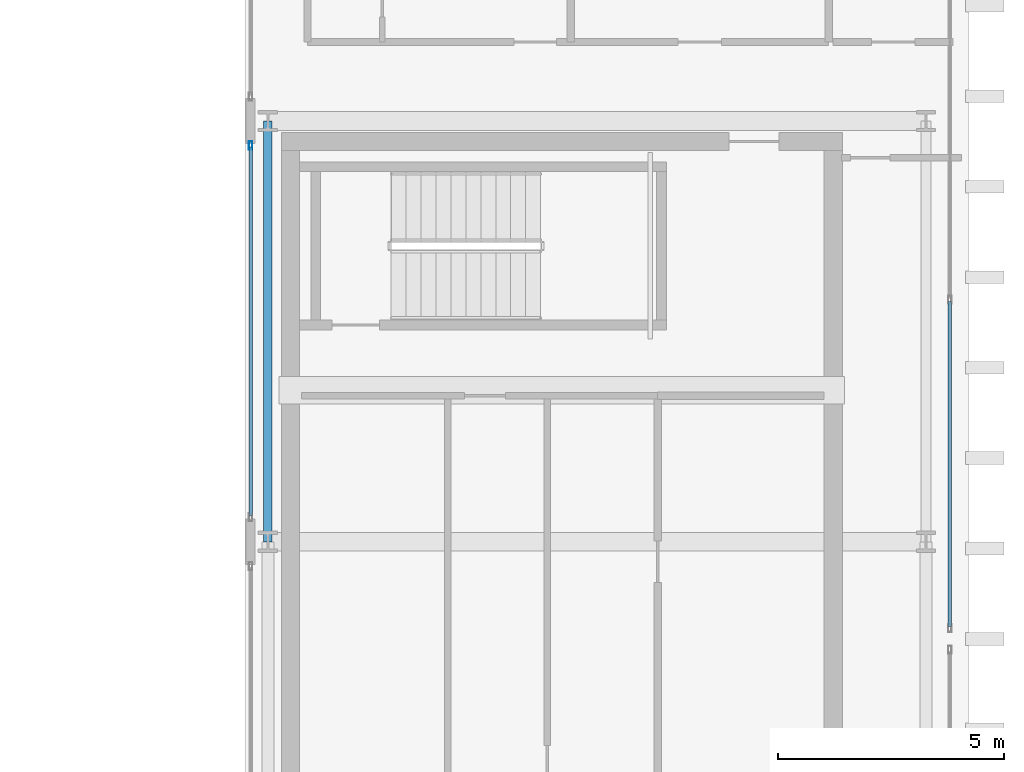
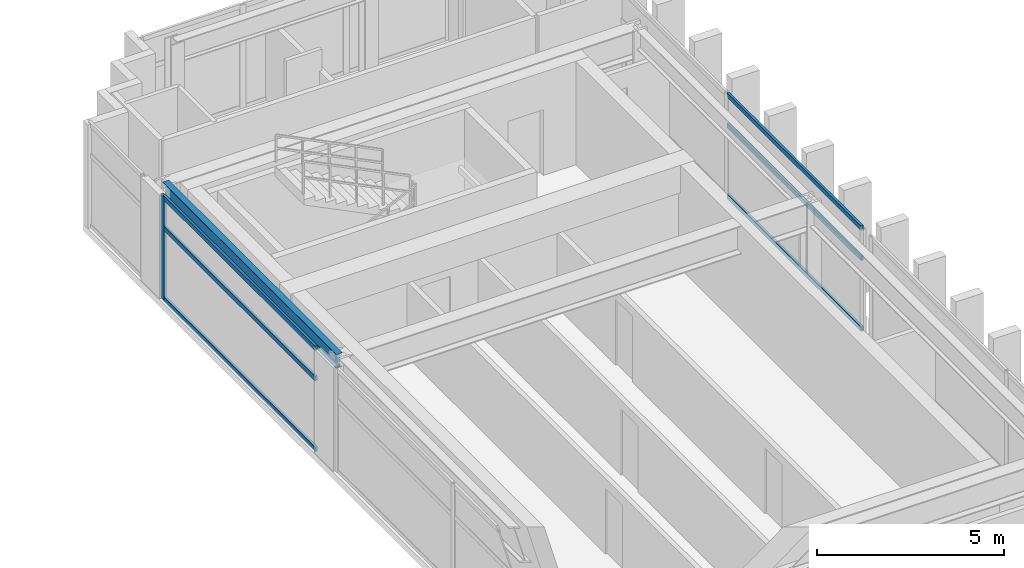
# One storey, part 12 of 25: 7 members, 1 beam, 2 elements without a shape of their own.
"""IFC4 building model written with IfcOpenShell, lengths in metres."""

from ifc_helpers import new_model, si_unit, direction, frame, origin, origin_2d, place, context, subcontext, project, spatial, hollow_rectangle, i_section, extrude, source, transform, mapped, material, layer, layer_set, material_profile, profile_set, type_object, element, aggregate, save


model = new_model("IFC4")

# Units and contexts
model_context = context("Model", 3, precision=1e-05, world=origin(), true_north=direction((0.0, 1.0)))
body_context = subcontext(model_context, "Body", "Model", "MODEL_VIEW")
ifc_project = project(units=[si_unit("LENGTHUNIT", "METRE"), si_unit("AREAUNIT", "SQUARE_METRE"), si_unit("VOLUMEUNIT", "CUBIC_METRE"), si_unit("PLANEANGLEUNIT", "RADIAN"), si_unit("MASSUNIT", "GRAM", prefix="KILO")], contexts=[model_context])

# Site, building, storey
site_placement = place(None, origin())
site = spatial("IfcSite", under=ifc_project, at=site_placement, CompositionType="ELEMENT")
building_placement = place(site_placement, origin())
building = spatial("IfcBuilding", under=site, at=building_placement, Name="Ocotamira Hotel", CompositionType="ELEMENT")
storey_placement = place(building_placement, frame((0.0, 0.0, 254.39990234375)))
storey = spatial("IfcBuildingStorey", under=building, at=storey_placement, Name="L64", CompositionType="ELEMENT", Elevation=254.39990234375)

# Beam
ifc_material_1 = material(Name="Steel ASTM A992 Grade 50", Category="steel")
ifc_material_profile_1 = material_profile(ifc_material_1, i_section(OverallWidth=0.18994140625, OverallDepth=0.45703125, WebThickness=0.009033203125, FlangeThickness=0.014404296875, FilletRadius=0.010009765625, at=origin_2d()), Name="W18X50")
ifc_profile_set_1 = profile_set([ifc_material_profile_1], Name="Steel ASTM A992 Grade 50")
beam_type = type_object("IfcBeamType", Name="BM-SEC-W18X50", PredefinedType="JOIST", material=ifc_profile_set_1)
shared_shape_1 = source(origin(), body_context, "Body", "SweptSolid", [
    extrude(i_section(OverallWidth=0.18994140625, OverallDepth=0.45703125, WebThickness=0.009033203125, FlangeThickness=0.014404296875, FilletRadius=0.010009765625, at=origin_2d()), origin(), (0.0, 0.0, 1.0), 9.300048828125),
])
beam_placement = place(storey_placement, frame((40.5, 28.14990234375, 3.151611328125), z_axis=(0.0, 1.0, 0.0), x_axis=(-1.0, 0.0, 0.0)))
element("IfcBeam", 1, at=beam_placement, inside=storey, type_object=beam_type, Name="L64 Beam X40.5 Y28.15-37.45", PredefinedType="JOIST", context=body_context, shape_type="MappedRepresentation", body=[
    mapped(shared_shape_1, transform((0.0, 0.0, 0.0), scale=1.0)),
])

# Curtain wall, member
ifc_material_2 = material(Name="Anodised pale-metal aluminium and solar glass", Category="aluminium")
ifc_layer = layer(ifc_material_2, 0.2099609375)
ifc_layer_set = layer_set([ifc_layer], Name="Anodised pale-metal aluminium and solar glass")
curtain_wall_type = type_object("IfcCurtainWallType", Name="CW-SYS7-PEAK", PredefinedType="NOTDEFINED", material=ifc_layer_set)
curtain_wall_1_placement = place(storey_placement, origin())
curtain_wall_1 = element("IfcCurtainWall", 2, at=curtain_wall_1_placement, inside=storey, type_object=curtain_wall_type, Name="L64 Curtain Wall CW-7 CW-L64-EI3", PredefinedType="NOTDEFINED")
ifc_material_3 = material(Name="Anodised pale-metal aluminium 6063-T6", Category="aluminium")
ifc_material_profile_2 = material_profile(ifc_material_3, hollow_rectangle(XDim=0.080078125, YDim=0.179931640625, WallThickness=0.006103515625, at=origin_2d()), Name="HSS180X80X6")
ifc_profile_set_2 = profile_set([ifc_material_profile_2], Name="Anodised pale-metal aluminium 6063-T6")
member_type_1 = type_object("IfcMemberType", Name="CWM-180X75", PredefinedType="MULLION", material=ifc_profile_set_2)
shared_shape_2 = source(origin(), body_context, "Body", "SweptSolid", [
    extrude(hollow_rectangle(XDim=0.080078125, YDim=0.179931640625, WallThickness=0.006103515625, at=origin_2d()), origin(), (0.0, 0.0, 1.0), 3.380126953125),
])
member_1_placement = place(storey_placement, frame((40.1201171875, 36.909912109375, 0.0), z_axis=(0.0, 0.0, 1.0), x_axis=(-1.0, 0.0, 0.0)))
member_1 = element("IfcMember", 3, at=member_1_placement, type_object=member_type_1, Name="CW-7 mullion 2", PredefinedType="MULLION", context=body_context, shape_type="MappedRepresentation", body=[
    mapped(shared_shape_2, transform((0.0, 0.0, 0.0), scale=1.0)),
])

# Curtain wall, members
curtain_wall_2_placement = place(storey_placement, origin())
curtain_wall_2 = element("IfcCurtainWall", 4, at=curtain_wall_2_placement, inside=storey, type_object=curtain_wall_type, Name="L64 Curtain Wall CW-7 CW-L64-EO2", PredefinedType="NOTDEFINED")
ifc_material_profile_3 = material_profile(ifc_material_3, hollow_rectangle(XDim=0.074951171875, YDim=0.14990234375, WallThickness=0.006103515625, at=origin_2d()), Name="HSS150X75X6")
ifc_profile_set_3 = profile_set([ifc_material_profile_3], Name="Anodised pale-metal aluminium 6063-T6")
member_type_2 = type_object("IfcMemberType", Name="CWT-150X75", PredefinedType="USERDEFINED", material=ifc_profile_set_3)
shared_shape_3 = source(origin(), body_context, "Body", "SweptSolid", [
    extrude(hollow_rectangle(XDim=0.074951171875, YDim=0.14990234375, WallThickness=0.006103515625, at=origin_2d()), origin(), (0.0, 0.0, 1.0), 7.179931640625),
])
member_2_placement = place(storey_placement, frame((55.580078125, 26.280029296875, 0.03759765625), z_axis=(0.0, 1.0, 0.0), x_axis=(-1.0, 0.0, 0.0)))
member_2 = element("IfcMember", 5, at=member_2_placement, type_object=member_type_2, Name="CW-7 transom 1.1", ObjectType="TRANSOM", PredefinedType="USERDEFINED", context=body_context, shape_type="MappedRepresentation", body=[
    mapped(shared_shape_3, transform((0.0, 0.0, 0.0), scale=1.0)),
])
member_3_placement = place(storey_placement, frame((55.580078125, 26.280029296875, 2.35009765625), z_axis=(0.0, 1.0, 0.0), x_axis=(-1.0, 0.0, 0.0)))
member_3 = element("IfcMember", 6, at=member_3_placement, type_object=member_type_2, Name="CW-7 transom 1.2", ObjectType="TRANSOM", PredefinedType="USERDEFINED", context=body_context, shape_type="MappedRepresentation", body=[
    mapped(shared_shape_3, transform((0.0, 0.0, 0.0), scale=1.0)),
])
member_4_placement = place(storey_placement, frame((55.580078125, 26.280029296875, 3.342529296875), z_axis=(0.0, 1.0, 0.0), x_axis=(-1.0, 0.0, 0.0)))
member_4 = element("IfcMember", 7, at=member_4_placement, type_object=member_type_2, Name="CW-7 transom 1.3", ObjectType="TRANSOM", PredefinedType="USERDEFINED", context=body_context, shape_type="MappedRepresentation", body=[
    mapped(shared_shape_3, transform((0.0, 0.0, 0.0), scale=1.0)),
])
aggregate(curtain_wall_2, [member_2, member_3, member_4])

# Member
shared_shape_4 = source(origin(), body_context, "Body", "SweptSolid", [
    extrude(hollow_rectangle(XDim=0.074951171875, YDim=0.14990234375, WallThickness=0.006103515625, at=origin_2d()), origin(), (0.0, 0.0, 1.0), 8.14013671875),
])
member_5_placement = place(storey_placement, frame((40.1201171875, 28.72998046875, 0.03759765625), z_axis=(0.0, 1.0, 0.0), x_axis=(-1.0, 0.0, 0.0)))
member_5 = element("IfcMember", 8, at=member_5_placement, type_object=member_type_2, Name="CW-7 transom 1.1", ObjectType="TRANSOM", PredefinedType="USERDEFINED", context=body_context, shape_type="MappedRepresentation", body=[
    mapped(shared_shape_4, transform((0.0, 0.0, 0.0), scale=1.0)),
])

member_6_placement = place(storey_placement, frame((40.1201171875, 28.72998046875, 2.35009765625), z_axis=(0.0, 1.0, 0.0), x_axis=(-1.0, 0.0, 0.0)))
member_6 = element("IfcMember", 9, at=member_6_placement, type_object=member_type_2, Name="CW-7 transom 1.2", ObjectType="TRANSOM", PredefinedType="USERDEFINED", context=body_context, shape_type="MappedRepresentation", body=[
    mapped(shared_shape_4, transform((0.0, 0.0, 0.0), scale=1.0)),
])

member_7_placement = place(storey_placement, frame((40.1201171875, 28.72998046875, 3.342529296875), z_axis=(0.0, 1.0, 0.0), x_axis=(-1.0, 0.0, 0.0)))
member_7 = element("IfcMember", 10, at=member_7_placement, type_object=member_type_2, Name="CW-7 transom 1.3", ObjectType="TRANSOM", PredefinedType="USERDEFINED", context=body_context, shape_type="MappedRepresentation", body=[
    mapped(shared_shape_4, transform((0.0, 0.0, 0.0), scale=1.0)),
])

aggregate(curtain_wall_1, [member_1, member_5, member_6, member_7])

save(model, "model.ifc")
